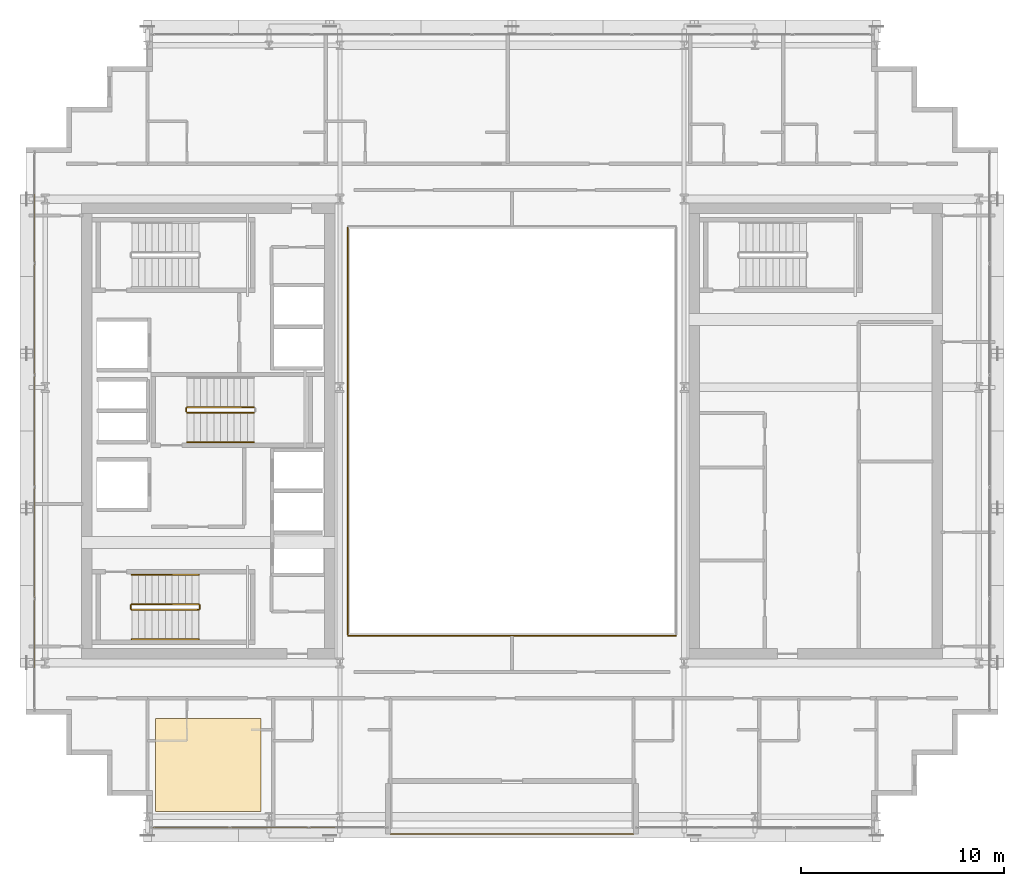
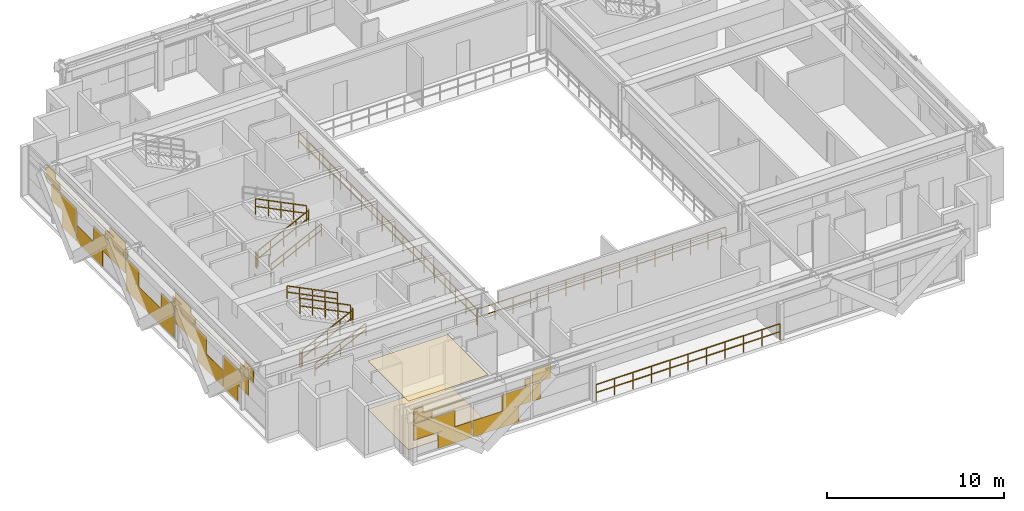
# One storey, part 29 of 32: 13 railings, 4 coverings.
"""IFC4 building model written with IfcOpenShell, lengths in metres."""

import ifcopenshell
import ifcopenshell.guid

model = None  # the IFC model being written
_history = None  # IfcOwnerHistory: only IFC2X3 demands one
_inside = {}  # id of a spatial element -> (the spatial element, [elements in it])
_under = {}  # id of a project, library or spatial element -> (it, [spatial elements below it])
_declared = {}  # id of a project -> (the project, [libraries it declares])
_typed = {}  # id of a type object -> (the type object, [elements of that type])
_made_of = {}  # id of a material, layer set ... -> (it, [elements and type objects made of it])


def new_model(schema):
    """Start an empty IFC model of exactly this schema.

    Asked for "IFC4X3", IfcOpenShell would pick the latest addendum, in which some entities
    have other attributes; the version numbers below select the first issue.
    IFC2X3 requires an IfcOwnerHistory on every rooted entity: one is made here for all.
    """
    global model, _history
    if schema == "IFC4X3":
        model = ifcopenshell.file(schema_version=(4, 3, 0, 0))
    else:
        model = ifcopenshell.file(schema=schema)
    _inside.clear()
    _under.clear()
    _declared.clear()
    _typed.clear()
    _made_of.clear()
    _history = None
    if model.schema == "IFC2X3":
        org = make("IfcOrganization", Name="unknown")
        user = make(
            "IfcPersonAndOrganization",
            ThePerson=make("IfcPerson", FamilyName="unknown"),
            TheOrganization=org,
        )
        app = make(
            "IfcApplication",
            ApplicationDeveloper=org,
            Version="unknown",
            ApplicationFullName="unknown",
            ApplicationIdentifier="unknown",
        )
        _history = make(
            "IfcOwnerHistory",
            OwningUser=user,
            OwningApplication=app,
            ChangeAction="ADDED",
            CreationDate=0,
        )
    return model


def make(cls, **values):
    """One entity of the class cls with the attributes given. An attribute that is None is left unset."""
    return model.create_entity(
        cls, **{name: value for name, value in values.items() if value is not None}
    )


def rooted(cls, **values):
    """An entity with a GlobalId (a new one), such as an element, a storey or a relation."""
    return make(cls, GlobalId=ifcopenshell.guid.new(), OwnerHistory=_history, **values)


def si_unit(unit_type, name, prefix=None):
    """IfcSIUnit, for example si_unit("LENGTHUNIT", "METRE", prefix="MILLI")."""
    return make("IfcSIUnit", UnitType=unit_type, Prefix=prefix, Name=name)


def assignment(units):
    """IfcUnitAssignment: the units of a project."""
    return None if units is None else make("IfcUnitAssignment", Units=units)


def point(xyz):
    """IfcCartesianPoint."""
    return None if xyz is None else make("IfcCartesianPoint", Coordinates=xyz)


def direction(xyz):
    """IfcDirection."""
    return None if xyz is None else make("IfcDirection", DirectionRatios=xyz)


def frame(location, z_axis=None, x_axis=None):
    """IfcAxis2Placement3D, a coordinate frame: its origin and axes. An axis left out is left unset."""
    return make(
        "IfcAxis2Placement3D",
        Location=point(location),
        Axis=direction(z_axis),
        RefDirection=direction(x_axis),
    )


def frame_2d(location, x_axis=None):
    """IfcAxis2Placement2D, a coordinate frame in the plane: its origin and x axis."""
    return make(
        "IfcAxis2Placement2D", Location=point(location), RefDirection=direction(x_axis)
    )


def origin():
    """The frame at (0, 0, 0) with its axes left unset."""
    return frame((0.0, 0.0, 0.0))


def origin_2d():
    """The frame at (0, 0) in the plane with its x axis left unset."""
    return frame_2d((0.0, 0.0))


def place(relative_to, where):
    """IfcLocalPlacement: puts the frame where relative to a parent placement (None: the world)."""
    return make(
        "IfcLocalPlacement", PlacementRelTo=relative_to, RelativePlacement=where
    )


def context(
    kind, dimensions, precision=None, world=None, true_north=None, identifier=None
):
    """IfcGeometricRepresentationContext, for example the 3D "Model" context."""
    return make(
        "IfcGeometricRepresentationContext",
        ContextIdentifier=identifier,
        ContextType=kind,
        CoordinateSpaceDimension=dimensions,
        Precision=precision,
        WorldCoordinateSystem=world,
        TrueNorth=true_north,
    )


def subcontext(parent, identifier, kind, view, scale=None):
    """IfcGeometricRepresentationSubContext, for example "Body" below "Model"."""
    return make(
        "IfcGeometricRepresentationSubContext",
        ContextIdentifier=identifier,
        ContextType=kind,
        ParentContext=parent,
        TargetScale=scale,
        TargetView=view,
    )


def project(units=None, contexts=None):
    """IfcProject with its units and contexts."""
    return rooted(
        "IfcProject",
        Name="project",
        RepresentationContexts=contexts,
        UnitsInContext=assignment(units),
    )


def spatial(cls, under=None, at=None, **own):
    """A site, building, storey or space (cls), placed at a placement, below another one or the project."""
    s = rooted(cls, ObjectPlacement=at, **own)
    if under is not None:
        _under.setdefault(under.id(), (under, []))[1].append(s)
    return s


def polyline(points):
    """IfcPolyline through the points."""
    return make("IfcPolyline", Points=[point(p) for p in points])


def profile(cls, at=None, kind="AREA", **sizes):
    """A parametric profile (cls). Its sizes go by their IFC names, for example OverallWidth=200.0."""
    return make(cls, ProfileType=kind, Position=at, **sizes)


def rectangle(**sizes):
    """IfcRectangleProfileDef."""
    return profile("IfcRectangleProfileDef", **sizes)


def outline(outer, holes=None, kind="AREA"):
    """IfcArbitraryClosedProfileDef: a profile drawn as a closed curve; with holes, ...WithVoids."""
    if holes is None:
        return make("IfcArbitraryClosedProfileDef", ProfileType=kind, OuterCurve=outer)
    return make(
        "IfcArbitraryProfileDefWithVoids",
        ProfileType=kind,
        OuterCurve=outer,
        InnerCurves=holes,
    )


def extrude(swept, where, along, depth):
    """IfcExtrudedAreaSolid: the profile swept, set in the frame where, extruded along a direction by depth."""
    return make(
        "IfcExtrudedAreaSolid",
        SweptArea=swept,
        Position=where,
        ExtrudedDirection=direction(along),
        Depth=depth,
    )


def shape(context_of_items, identifier, shape_type, items):
    """IfcShapeRepresentation: the items that make up one representation, for example the "Body"."""
    return make(
        "IfcShapeRepresentation",
        ContextOfItems=context_of_items,
        RepresentationIdentifier=identifier,
        RepresentationType=shape_type,
        Items=items,
    )


def material(Name=None, Category=None):
    """IfcMaterial."""
    return make("IfcMaterial", Name=Name, Category=Category)


def layer(
    of_material, thickness, ventilated=None, Name=None, Category=None, Priority=None
):
    """IfcMaterialLayer: one layer of a wall or slab, of a material (None: an air gap)."""
    return make(
        "IfcMaterialLayer",
        Material=of_material,
        LayerThickness=thickness,
        IsVentilated=ventilated,
        Name=Name,
        Category=Category,
        Priority=Priority,
    )


def layer_set(layers, Name=None):
    """IfcMaterialLayerSet."""
    return make("IfcMaterialLayerSet", MaterialLayers=layers, LayerSetName=Name)


def made_of(thing, what):
    """Note that an element or type object is made of a material, layer set ...; save() writes the relation."""
    if what is not None:
        _made_of.setdefault(what.id(), (what, []))[1].append(thing)
    return thing


def type_object(cls, material=None, **own):
    """A type object (cls), such as IfcWallType, which elements share."""
    return made_of(rooted(cls, **own), material)


def element(
    cls,
    number,
    at=None,
    inside=None,
    cuts=None,
    type_object=None,
    material=None,
    context=None,
    identifier="Body",
    shape_type=None,
    held_by="IfcProductDefinitionShape",
    body=None,
    shapes=None,
    **own,
):
    """One element of the class cls, such as IfcWall. Its Tag is "e" and its number.

    at: its placement. inside: the storey or other place that contains it. cuts: it is an
    opening in that element (IfcRelVoidsElement). A single representation is given by context,
    identifier, shape_type and body (its items); several are given by shapes. held_by: the class
    of the entity that holds the representations. save() writes the other relations.
    """
    e = rooted(cls, Tag="e%d" % number, ObjectPlacement=at, **own)
    if body is not None:
        shapes = [shape(context, identifier, shape_type, body)]
    if shapes is not None:
        e.Representation = make(held_by, Representations=shapes)
    if inside is not None:
        _inside.setdefault(inside.id(), (inside, []))[1].append(e)
    if cuts is not None:
        rooted(
            "IfcRelVoidsElement", RelatingBuildingElement=cuts, RelatedOpeningElement=e
        )
    if type_object is not None:
        _typed.setdefault(type_object.id(), (type_object, []))[1].append(e)
    return made_of(e, material)


def aggregate(whole, parts):
    """IfcRelAggregates: a whole, such as a stair, and the parts it consists of."""
    return rooted("IfcRelAggregates", RelatingObject=whole, RelatedObjects=parts)


def save(model, path):
    """Write the relations noted so far, then the file.

    IfcRelAggregates (storeys below a building ...), IfcRelContainedInSpatialStructure (elements
    in a storey), IfcRelDefinesByType, IfcRelAssociatesMaterial and IfcRelDeclares: one each for
    every whole, place, type object, material and project.
    """
    for whole, parts in _under.values():
        aggregate(whole, parts)
    for where, things in _inside.values():
        rooted(
            "IfcRelContainedInSpatialStructure",
            RelatedElements=things,
            RelatingStructure=where,
        )
    for kind, things in _typed.values():
        rooted("IfcRelDefinesByType", RelatedObjects=things, RelatingType=kind)
    for what, things in _made_of.values():
        rooted("IfcRelAssociatesMaterial", RelatedObjects=things, RelatingMaterial=what)
    for by, libraries in _declared.values():
        rooted("IfcRelDeclares", RelatingContext=by, RelatedDefinitions=libraries)
    model.write(path)


model = new_model("IFC4")

# Units and contexts
model_context = context("Model", 3, precision=1e-05, world=origin(), true_north=direction((0.0, 1.0)))
body_context = subcontext(model_context, "Body", "Model", "MODEL_VIEW")
ifc_project = project(units=[si_unit("LENGTHUNIT", "METRE"), si_unit("AREAUNIT", "SQUARE_METRE"), si_unit("VOLUMEUNIT", "CUBIC_METRE"), si_unit("PLANEANGLEUNIT", "RADIAN"), si_unit("MASSUNIT", "GRAM", prefix="KILO")], contexts=[model_context])

# Site, building, storey
site_placement = place(None, origin())
site = spatial("IfcSite", under=ifc_project, at=site_placement, CompositionType="ELEMENT")
building_placement = place(site_placement, origin())
building = spatial("IfcBuilding", under=site, at=building_placement, Name="Ocotamira Hotel", CompositionType="ELEMENT")
storey_placement = place(building_placement, frame((0.0, 0.0, 177.60009765625)))
storey = spatial("IfcBuildingStorey", under=building, at=storey_placement, Name="L44", CompositionType="ELEMENT", Elevation=177.60009765625)

# Coverings
ifc_material_1 = material(Name="Perforated acoustic gypsum ceiling board", Category="gypsum")
ifc_layer_1 = layer(ifc_material_1, 0.02490234375)
ifc_layer_set_1 = layer_set([ifc_layer_1], Name="Perforated acoustic gypsum ceiling board")
covering_type_1 = type_object("IfcCoveringType", Name="COV-CEIL-25", PredefinedType="CEILING", material=ifc_layer_set_1)
covering_1_placement = place(storey_placement, frame((0.0, 0.0, 3.344970703125)))
element("IfcCovering", 1, at=covering_1_placement, inside=storey, type_object=covering_type_1, Name="L44 Acoustic Ceiling", PredefinedType="CEILING", context=body_context, shape_type="SweptSolid", body=[
    extrude(outline(polyline([(14.39990234375, 7.199951171875), (19.60009765625, 7.199951171875), (19.60009765625, 11.800048828125), (14.39990234375, 11.800048828125), (14.39990234375, 7.199951171875)])), origin(), (0.0, 0.0, 1.0), 0.02490234375),
])
ifc_material_2 = material(Name="Honed desert travertine stone flooring", Category="masonry")
ifc_layer_2 = layer(ifc_material_2, 0.030029296875)
ifc_layer_set_2 = layer_set([ifc_layer_2], Name="Honed desert travertine stone flooring")
covering_type_2 = type_object("IfcCoveringType", Name="COV-FLOR-30", PredefinedType="FLOORING", material=ifc_layer_set_2)
covering_2_placement = place(storey_placement, origin())
element("IfcCovering", 2, at=covering_2_placement, inside=storey, type_object=covering_type_2, Name="L44 Honed Stone Floor Finish", PredefinedType="FLOORING", context=body_context, shape_type="SweptSolid", body=[
    extrude(outline(polyline([(14.39990234375, 7.199951171875), (19.60009765625, 7.199951171875), (19.60009765625, 11.800048828125), (14.39990234375, 11.800048828125), (14.39990234375, 7.199951171875)])), origin(), (0.0, 0.0, 1.0), 0.02978515625),
])
ifc_material_3 = material(Name="Insulated pale-metal aluminium spandrel panel", Category="aluminium")
ifc_layer_3 = layer(ifc_material_3, 0.044921875)
ifc_layer_set_3 = layer_set([ifc_layer_3], Name="Insulated pale-metal aluminium spandrel panel")
covering_type_3 = type_object("IfcCoveringType", Name="COV-INFILL-45", PredefinedType="CLADDING", material=ifc_layer_set_3)
covering_3_placement = place(storey_placement, origin())
element("IfcCovering", 3, at=covering_3_placement, inside=storey, type_object=covering_type_3, Name="L44 Curtain Wall Infill CW-4 CW-L44-S1", PredefinedType="CLADDING", context=body_context, shape_type="SweptSolid", body=[
    extrude(rectangle(XDim=2.68701171875, YDim=0.044921875, at=origin_2d()), frame((15.6240234375, 6.419921875, 1.19384765625), z_axis=(0.0, 0.0, 1.0), x_axis=(1.0, 0.0, 0.0)), (0.0, 0.0, 1.0), 1.117919921875),
    extrude(rectangle(XDim=2.19482421875, YDim=0.044921875, at=origin_2d()), frame((16.9453125, 6.419921875, 0.075439453125), z_axis=(0.0, 0.0, 1.0), x_axis=(1.0, 0.0, 0.0)), (0.0, 0.0, 1.0), 1.11767578125),
    extrude(rectangle(XDim=1.19482421875, YDim=0.044921875, at=origin_2d()), frame((14.8779296875, 6.419921875, 2.3876953125), z_axis=(0.0, 0.0, 1.0), x_axis=(1.0, 0.0, 0.0)), (0.0, 0.0, 1.0), 0.442626953125),
    extrude(rectangle(XDim=3.76220703125, YDim=0.044921875, at=origin_2d()), frame((16.16162109375, 6.419921875, 2.83154296875), z_axis=(0.0, 0.0, 1.0), x_axis=(1.0, 0.0, 0.0)), (0.0, 0.0, 1.0), 0.0302734375),
    extrude(rectangle(XDim=0.601318359375, YDim=0.044921875, at=origin_2d()), frame((14.581298828125, 6.419921875, 2.86279296875), z_axis=(0.0, 0.0, 1.0), x_axis=(1.0, 0.0, 0.0)), (0.0, 0.0, 1.0), 0.431640625),
    extrude(rectangle(XDim=3.028076171875, YDim=0.044921875, at=origin_2d()), frame((19.637939453125, 6.419921875, 0.075439453125), z_axis=(0.0, 0.0, 1.0), x_axis=(1.0, 0.0, 0.0)), (0.0, 0.0, 1.0), 1.11767578125),
    extrude(rectangle(XDim=1.893798828125, YDim=0.044921875, at=origin_2d()), frame((20.979248046875, 6.419921875, 1.19384765625), z_axis=(0.0, 0.0, 1.0), x_axis=(1.0, 0.0, 0.0)), (0.0, 0.0, 1.0), 1.117919921875),
    extrude(rectangle(XDim=0.401611328125, YDim=0.044921875, at=origin_2d()), frame((21.725341796875, 6.419921875, 2.3876953125), z_axis=(0.0, 0.0, 1.0), x_axis=(1.0, 0.0, 0.0)), (0.0, 0.0, 1.0), 0.473876953125),
    extrude(rectangle(XDim=0.543212890625, YDim=0.044921875, at=origin_2d()), frame((22.27880859375, 6.419921875, 1.19384765625), z_axis=(0.0, 0.0, 1.0), x_axis=(1.0, 0.0, 0.0)), (0.0, 0.0, 1.0), 1.117919921875),
    extrude(rectangle(XDim=1.19140625, YDim=0.044921875, at=origin_2d()), frame((22.602783203125, 6.419921875, 2.3876953125), z_axis=(0.0, 0.0, 1.0), x_axis=(1.0, 0.0, 0.0)), (0.0, 0.0, 1.0), 0.442626953125),
    extrude(rectangle(XDim=1.23046875, YDim=0.044921875, at=origin_2d()), frame((22.622314453125, 6.419921875, 2.83154296875), z_axis=(0.0, 0.0, 1.0), x_axis=(1.0, 0.0, 0.0)), (0.0, 0.0, 1.0), 0.462890625),
])
covering_4_placement = place(storey_placement, origin())
element("IfcCovering", 4, at=covering_4_placement, inside=storey, type_object=covering_type_3, Name="L44 Curtain Wall Infill CW-4 CW-L44-W", PredefinedType="CLADDING", context=body_context, shape_type="SweptSolid", body=[
    extrude(rectangle(XDim=2.782958984375, YDim=0.044921875, at=origin_2d()), frame((8.419921875, 16.2880859375, 1.19384765625), z_axis=(0.0, 0.0, 1.0), x_axis=(0.0, 1.0, 0.0)), (0.0, 0.0, 1.0), 1.117919921875),
    extrude(rectangle(XDim=1.596923828125, YDim=0.044921875, at=origin_2d()), frame((8.419921875, 16.881103515625, 0.075439453125), z_axis=(0.0, 0.0, 1.0), x_axis=(0.0, 1.0, 0.0)), (0.0, 0.0, 1.0), 1.11767578125),
    extrude(rectangle(XDim=3.38720703125, YDim=0.044921875, at=origin_2d()), frame((8.419921875, 15.98583984375, 2.8486328125), z_axis=(0.0, 0.0, 1.0), x_axis=(0.0, 1.0, 0.0)), (0.0, 0.0, 1.0), 0.033203125),
    extrude(rectangle(XDim=1.019287109375, YDim=0.044921875, at=origin_2d()), frame((8.419921875, 14.8017578125, 2.8828125), z_axis=(0.0, 0.0, 1.0), x_axis=(0.0, 1.0, 0.0)), (0.0, 0.0, 1.0), 0.41162109375),
    extrude(rectangle(XDim=1.507568359375, YDim=0.044921875, at=origin_2d()), frame((8.419921875, 15.082275390625, 2.38818359375), z_axis=(0.0, 0.0, 1.0), x_axis=(0.0, 1.0, 0.0)), (0.0, 0.0, 1.0), 0.459716796875),
    extrude(rectangle(XDim=2.89013671875, YDim=0.044921875, at=origin_2d()), frame((8.419921875, 19.20556640625, 0.075439453125), z_axis=(0.0, 0.0, 1.0), x_axis=(0.0, 1.0, 0.0)), (0.0, 0.0, 1.0), 1.11767578125),
    extrude(rectangle(XDim=3.568115234375, YDim=0.044921875, at=origin_2d()), frame((8.419921875, 21.41552734375, 1.19384765625), z_axis=(0.0, 0.0, 1.0), x_axis=(0.0, 1.0, 0.0)), (0.0, 0.0, 1.0), 1.117919921875),
    extrude(rectangle(XDim=5.43896484375, YDim=0.044921875, at=origin_2d()), frame((8.419921875, 20.47998046875, 2.8486328125), z_axis=(0.0, 0.0, 1.0), x_axis=(0.0, 1.0, 0.0)), (0.0, 0.0, 1.0), 0.033203125),
    extrude(rectangle(XDim=2.302490234375, YDim=0.044921875, at=origin_2d()), frame((8.419921875, 22.04833984375, 2.38818359375), z_axis=(0.0, 0.0, 1.0), x_axis=(0.0, 1.0, 0.0)), (0.0, 0.0, 1.0), 0.459716796875),
    extrude(rectangle(XDim=1.777587890625, YDim=0.044921875, at=origin_2d()), frame((8.419921875, 22.310791015625, 2.8828125), z_axis=(0.0, 0.0, 1.0), x_axis=(0.0, 1.0, 0.0)), (0.0, 0.0, 1.0), 0.41162109375),
    extrude(rectangle(XDim=5.43896484375, YDim=0.044921875, at=origin_2d()), frame((8.419921875, 26.0, 0.075439453125), z_axis=(0.0, 0.0, 1.0), x_axis=(0.0, 1.0, 0.0)), (0.0, 0.0, 1.0), 1.11767578125),
    extrude(rectangle(XDim=1.45458984375, YDim=0.044921875, at=origin_2d()), frame((8.419921875, 24.0078125, 1.19384765625), z_axis=(0.0, 0.0, 1.0), x_axis=(0.0, 1.0, 0.0)), (0.0, 0.0, 1.0), 1.117919921875),
    extrude(rectangle(XDim=1.45458984375, YDim=0.044921875, at=origin_2d()), frame((8.419921875, 27.9921875, 1.19384765625), z_axis=(0.0, 0.0, 1.0), x_axis=(0.0, 1.0, 0.0)), (0.0, 0.0, 1.0), 1.117919921875),
    extrude(rectangle(XDim=0.18896484375, YDim=0.044921875, at=origin_2d()), frame((8.419921875, 23.375, 2.38818359375), z_axis=(0.0, 0.0, 1.0), x_axis=(0.0, 1.0, 0.0)), (0.0, 0.0, 1.0), 0.493896484375),
    extrude(rectangle(XDim=0.18896484375, YDim=0.044921875, at=origin_2d()), frame((8.419921875, 28.625, 2.38818359375), z_axis=(0.0, 0.0, 1.0), x_axis=(0.0, 1.0, 0.0)), (0.0, 0.0, 1.0), 0.493896484375),
    extrude(rectangle(XDim=3.568115234375, YDim=0.044921875, at=origin_2d()), frame((8.419921875, 30.58447265625, 1.19384765625), z_axis=(0.0, 0.0, 1.0), x_axis=(0.0, 1.0, 0.0)), (0.0, 0.0, 1.0), 1.117919921875),
    extrude(rectangle(XDim=2.89013671875, YDim=0.044921875, at=origin_2d()), frame((8.419921875, 32.79443359375, 0.075439453125), z_axis=(0.0, 0.0, 1.0), x_axis=(0.0, 1.0, 0.0)), (0.0, 0.0, 1.0), 1.11767578125),
    extrude(rectangle(XDim=2.302490234375, YDim=0.044921875, at=origin_2d()), frame((8.419921875, 29.95166015625, 2.38818359375), z_axis=(0.0, 0.0, 1.0), x_axis=(0.0, 1.0, 0.0)), (0.0, 0.0, 1.0), 0.459716796875),
    extrude(rectangle(XDim=5.43896484375, YDim=0.044921875, at=origin_2d()), frame((8.419921875, 31.52001953125, 2.8486328125), z_axis=(0.0, 0.0, 1.0), x_axis=(0.0, 1.0, 0.0)), (0.0, 0.0, 1.0), 0.033203125),
    extrude(rectangle(XDim=1.777587890625, YDim=0.044921875, at=origin_2d()), frame((8.419921875, 29.689208984375, 2.8828125), z_axis=(0.0, 0.0, 1.0), x_axis=(0.0, 1.0, 0.0)), (0.0, 0.0, 1.0), 0.41162109375),
    extrude(rectangle(XDim=1.596923828125, YDim=0.044921875, at=origin_2d()), frame((8.419921875, 35.118896484375, 0.075439453125), z_axis=(0.0, 0.0, 1.0), x_axis=(0.0, 1.0, 0.0)), (0.0, 0.0, 1.0), 1.11767578125),
    extrude(rectangle(XDim=2.782958984375, YDim=0.044921875, at=origin_2d()), frame((8.419921875, 35.7119140625, 1.19384765625), z_axis=(0.0, 0.0, 1.0), x_axis=(0.0, 1.0, 0.0)), (0.0, 0.0, 1.0), 1.117919921875),
    extrude(rectangle(XDim=3.38720703125, YDim=0.044921875, at=origin_2d()), frame((8.419921875, 36.01416015625, 2.8486328125), z_axis=(0.0, 0.0, 1.0), x_axis=(0.0, 1.0, 0.0)), (0.0, 0.0, 1.0), 0.033203125),
    extrude(rectangle(XDim=1.507568359375, YDim=0.044921875, at=origin_2d()), frame((8.419921875, 36.917724609375, 2.38818359375), z_axis=(0.0, 0.0, 1.0), x_axis=(0.0, 1.0, 0.0)), (0.0, 0.0, 1.0), 0.459716796875),
    extrude(rectangle(XDim=1.019287109375, YDim=0.044921875, at=origin_2d()), frame((8.419921875, 37.1982421875, 2.8828125), z_axis=(0.0, 0.0, 1.0), x_axis=(0.0, 1.0, 0.0)), (0.0, 0.0, 1.0), 0.41162109375),
])

# Railings
ifc_material_4 = material(Name="Laminated glass and pale-metal balustrade", Category="glass")
railing_type_1 = type_object("IfcRailingType", Name="RL-BAL-1150", PredefinedType="BALUSTRADE", material=ifc_material_4)
railing_1_placement = place(storey_placement, frame((26.0, 6.10009765625, 0.0)))
element("IfcRailing", 5, at=railing_1_placement, inside=storey, type_object=railing_type_1, Name="L44 Sky Terrace Balustrade 1", PredefinedType="BALUSTRADE", context=body_context, shape_type="SweptSolid", body=[
    extrude(rectangle(XDim=0.048095703125, YDim=0.048095703125, at=origin_2d()), frame((0.0, 0.0, 1.1259765625), z_axis=(1.0, 0.0, 0.0), x_axis=(0.0, 1.0, 0.0)), (0.0, 0.0, 1.0), 12.0),
    extrude(rectangle(XDim=0.048095703125, YDim=0.048095703125, at=origin_2d()), frame((0.0, 0.0, 0.574951171875), z_axis=(1.0, 0.0, 0.0), x_axis=(0.0, 1.0, 0.0)), (0.0, 0.0, 1.0), 12.0),
    extrude(rectangle(XDim=0.0419921875, YDim=0.0419921875, at=origin_2d()), origin(), (0.0, 0.0, 1.0), 1.101806640625),
    extrude(rectangle(XDim=0.0419921875, YDim=0.0419921875, at=origin_2d()), frame((1.199951171875, 0.0, 0.0)), (0.0, 0.0, 1.0), 1.101806640625),
    extrude(rectangle(XDim=0.0419921875, YDim=0.0419921875, at=origin_2d()), frame((2.39990234375, 0.0, 0.0)), (0.0, 0.0, 1.0), 1.101806640625),
    extrude(rectangle(XDim=0.0419921875, YDim=0.0419921875, at=origin_2d()), frame((3.60009765625, 0.0, 0.0)), (0.0, 0.0, 1.0), 1.101806640625),
    extrude(rectangle(XDim=0.0419921875, YDim=0.0419921875, at=origin_2d()), frame((4.800048828125, 0.0, 0.0)), (0.0, 0.0, 1.0), 1.101806640625),
    extrude(rectangle(XDim=0.0419921875, YDim=0.0419921875, at=origin_2d()), frame((6.0, 0.0, 0.0)), (0.0, 0.0, 1.0), 1.101806640625),
    extrude(rectangle(XDim=0.0419921875, YDim=0.0419921875, at=origin_2d()), frame((7.199951171875, 0.0, 0.0)), (0.0, 0.0, 1.0), 1.101806640625),
    extrude(rectangle(XDim=0.0419921875, YDim=0.0419921875, at=origin_2d()), frame((8.39990234375, 0.0, 0.0)), (0.0, 0.0, 1.0), 1.101806640625),
    extrude(rectangle(XDim=0.0419921875, YDim=0.0419921875, at=origin_2d()), frame((9.60009765625, 0.0, 0.0)), (0.0, 0.0, 1.0), 1.101806640625),
    extrude(rectangle(XDim=0.0419921875, YDim=0.0419921875, at=origin_2d()), frame((10.800048828125, 0.0, 0.0)), (0.0, 0.0, 1.0), 1.101806640625),
    extrude(rectangle(XDim=0.0419921875, YDim=0.0419921875, at=origin_2d()), frame((12.0, 0.0, 0.0)), (0.0, 0.0, 1.0), 1.101806640625),
])
ifc_material_5 = material(Name="Painted steel stair guardrail", Category="steel")
railing_type_2 = type_object("IfcRailingType", Name="RL-EDGE-1150", PredefinedType="GUARDRAIL", material=ifc_material_5)
railing_2_placement = place(storey_placement, frame((23.89990234375, 15.8798828125, 0.0)))
element("IfcRailing", 6, at=railing_2_placement, inside=storey, type_object=railing_type_2, Name="L44 Central Atrium Edge Guardrail S", PredefinedType="GUARDRAIL", context=body_context, shape_type="SweptSolid", body=[
    extrude(rectangle(XDim=0.048095703125, YDim=0.048095703125, at=origin_2d()), frame((0.0, 0.0, 1.1259765625), z_axis=(1.0, 0.0, 0.0), x_axis=(0.0, 1.0, 0.0)), (0.0, 0.0, 1.0), 16.2001953125),
    extrude(rectangle(XDim=0.048095703125, YDim=0.048095703125, at=origin_2d()), frame((0.0, 0.0, 0.574951171875), z_axis=(1.0, 0.0, 0.0), x_axis=(0.0, 1.0, 0.0)), (0.0, 0.0, 1.0), 16.2001953125),
    extrude(rectangle(XDim=0.0419921875, YDim=0.0419921875, at=origin_2d()), origin(), (0.0, 0.0, 1.0), 1.101806640625),
    extrude(rectangle(XDim=0.0419921875, YDim=0.0419921875, at=origin_2d()), frame((1.1572265625, 0.0, 0.0)), (0.0, 0.0, 1.0), 1.101806640625),
    extrude(rectangle(XDim=0.0419921875, YDim=0.0419921875, at=origin_2d()), frame((2.314208984375, 0.0, 0.0)), (0.0, 0.0, 1.0), 1.101806640625),
    extrude(rectangle(XDim=0.0419921875, YDim=0.0419921875, at=origin_2d()), frame((3.471435546875, 0.0, 0.0)), (0.0, 0.0, 1.0), 1.101806640625),
    extrude(rectangle(XDim=0.0419921875, YDim=0.0419921875, at=origin_2d()), frame((4.628662109375, 0.0, 0.0)), (0.0, 0.0, 1.0), 1.101806640625),
    extrude(rectangle(XDim=0.0419921875, YDim=0.0419921875, at=origin_2d()), frame((5.785888671875, 0.0, 0.0)), (0.0, 0.0, 1.0), 1.101806640625),
    extrude(rectangle(XDim=0.0419921875, YDim=0.0419921875, at=origin_2d()), frame((6.94287109375, 0.0, 0.0)), (0.0, 0.0, 1.0), 1.101806640625),
    extrude(rectangle(XDim=0.0419921875, YDim=0.0419921875, at=origin_2d()), frame((8.10009765625, 0.0, 0.0)), (0.0, 0.0, 1.0), 1.101806640625),
    extrude(rectangle(XDim=0.0419921875, YDim=0.0419921875, at=origin_2d()), frame((9.25732421875, 0.0, 0.0)), (0.0, 0.0, 1.0), 1.101806640625),
    extrude(rectangle(XDim=0.0419921875, YDim=0.0419921875, at=origin_2d()), frame((10.414306640625, 0.0, 0.0)), (0.0, 0.0, 1.0), 1.101806640625),
    extrude(rectangle(XDim=0.0419921875, YDim=0.0419921875, at=origin_2d()), frame((11.571533203125, 0.0, 0.0)), (0.0, 0.0, 1.0), 1.101806640625),
    extrude(rectangle(XDim=0.0419921875, YDim=0.0419921875, at=origin_2d()), frame((12.728759765625, 0.0, 0.0)), (0.0, 0.0, 1.0), 1.101806640625),
    extrude(rectangle(XDim=0.0419921875, YDim=0.0419921875, at=origin_2d()), frame((13.885986328125, 0.0, 0.0)), (0.0, 0.0, 1.0), 1.101806640625),
    extrude(rectangle(XDim=0.0419921875, YDim=0.0419921875, at=origin_2d()), frame((15.04296875, 0.0, 0.0)), (0.0, 0.0, 1.0), 1.101806640625),
    extrude(rectangle(XDim=0.0419921875, YDim=0.0419921875, at=origin_2d()), frame((16.2001953125, 0.0, 0.0)), (0.0, 0.0, 1.0), 1.101806640625),
])
railing_3_placement = place(storey_placement, frame((23.8798828125, 36.0400390625, 0.0)))
element("IfcRailing", 7, at=railing_3_placement, inside=storey, type_object=railing_type_2, Name="L44 Central Atrium Edge Guardrail W", PredefinedType="GUARDRAIL", context=body_context, shape_type="SweptSolid", body=[
    extrude(rectangle(XDim=0.048095703125, YDim=0.048095703125, at=origin_2d()), frame((0.0, 0.0, 1.1259765625), z_axis=(0.0, -1.0, 0.0), x_axis=(1.0, 0.0, 0.0)), (0.0, 0.0, 1.0), 20.080078125),
    extrude(rectangle(XDim=0.048095703125, YDim=0.048095703125, at=origin_2d()), frame((0.0, 0.0, 0.574951171875), z_axis=(0.0, -1.0, 0.0), x_axis=(1.0, 0.0, 0.0)), (0.0, 0.0, 1.0), 20.080078125),
    extrude(rectangle(XDim=0.0419921875, YDim=0.0419921875, at=origin_2d()), origin(), (0.0, 0.0, 1.0), 1.101806640625),
    extrude(rectangle(XDim=0.0419921875, YDim=0.0419921875, at=origin_2d()), frame((0.0, -1.18115234375, 0.0)), (0.0, 0.0, 1.0), 1.101806640625),
    extrude(rectangle(XDim=0.0419921875, YDim=0.0419921875, at=origin_2d()), frame((0.0, -2.3623046875, 0.0)), (0.0, 0.0, 1.0), 1.101806640625),
    extrude(rectangle(XDim=0.0419921875, YDim=0.0419921875, at=origin_2d()), frame((0.0, -3.54345703125, 0.0)), (0.0, 0.0, 1.0), 1.101806640625),
    extrude(rectangle(XDim=0.0419921875, YDim=0.0419921875, at=origin_2d()), frame((0.0, -4.724609375, 0.0)), (0.0, 0.0, 1.0), 1.101806640625),
    extrude(rectangle(XDim=0.0419921875, YDim=0.0419921875, at=origin_2d()), frame((0.0, -5.906005859375, 0.0)), (0.0, 0.0, 1.0), 1.101806640625),
    extrude(rectangle(XDim=0.0419921875, YDim=0.0419921875, at=origin_2d()), frame((0.0, -7.087158203125, 0.0)), (0.0, 0.0, 1.0), 1.101806640625),
    extrude(rectangle(XDim=0.0419921875, YDim=0.0419921875, at=origin_2d()), frame((0.0, -8.268310546875, 0.0)), (0.0, 0.0, 1.0), 1.101806640625),
    extrude(rectangle(XDim=0.0419921875, YDim=0.0419921875, at=origin_2d()), frame((0.0, -9.449462890625, 0.0)), (0.0, 0.0, 1.0), 1.101806640625),
    extrude(rectangle(XDim=0.0419921875, YDim=0.0419921875, at=origin_2d()), frame((0.0, -10.630615234375, 0.0)), (0.0, 0.0, 1.0), 1.101806640625),
    extrude(rectangle(XDim=0.0419921875, YDim=0.0419921875, at=origin_2d()), frame((0.0, -11.811767578125, 0.0)), (0.0, 0.0, 1.0), 1.101806640625),
    extrude(rectangle(XDim=0.0419921875, YDim=0.0419921875, at=origin_2d()), frame((0.0, -12.992919921875, 0.0)), (0.0, 0.0, 1.0), 1.101806640625),
    extrude(rectangle(XDim=0.0419921875, YDim=0.0419921875, at=origin_2d()), frame((0.0, -14.174072265625, 0.0)), (0.0, 0.0, 1.0), 1.101806640625),
    extrude(rectangle(XDim=0.0419921875, YDim=0.0419921875, at=origin_2d()), frame((0.0, -15.35546875, 0.0)), (0.0, 0.0, 1.0), 1.101806640625),
    extrude(rectangle(XDim=0.0419921875, YDim=0.0419921875, at=origin_2d()), frame((0.0, -16.53662109375, 0.0)), (0.0, 0.0, 1.0), 1.101806640625),
    extrude(rectangle(XDim=0.0419921875, YDim=0.0419921875, at=origin_2d()), frame((0.0, -17.7177734375, 0.0)), (0.0, 0.0, 1.0), 1.101806640625),
    extrude(rectangle(XDim=0.0419921875, YDim=0.0419921875, at=origin_2d()), frame((0.0, -18.89892578125, 0.0)), (0.0, 0.0, 1.0), 1.101806640625),
    extrude(rectangle(XDim=0.0419921875, YDim=0.0419921875, at=origin_2d()), frame((0.0, -20.080078125, 0.0)), (0.0, 0.0, 1.0), 1.101806640625),
])
ifc_material_6 = material(Name="Brushed stainless steel handrail", Category="steel")
railing_type_3 = type_object("IfcRailingType", Name="RL-HAND-900", PredefinedType="HANDRAIL", material=ifc_material_6)
railing_4_placement = place(storey_placement, frame((13.22998046875, 15.719970703125, 0.3271484375)))
element("IfcRailing", 8, at=railing_4_placement, inside=storey, type_object=railing_type_3, Name="L44 ST-1 stair handrail 1", PredefinedType="HANDRAIL", context=body_context, shape_type="SweptSolid", body=[
    extrude(rectangle(XDim=0.048095703125, YDim=0.048095703125, at=origin_2d()), frame((0.0, 0.0, 0.8759765625), z_axis=(0.895893744519, 0.0, 0.4442683857), x_axis=(0.0, 1.0, 0.0)), (0.0, 0.0, 1.0), 3.68359375),
    extrude(rectangle(XDim=0.048095703125, YDim=0.048095703125, at=origin_2d()), frame((0.0, 0.0, 0.449951171875), z_axis=(0.895893744519, 0.0, 0.4442683857), x_axis=(0.0, 1.0, 0.0)), (0.0, 0.0, 1.0), 3.68359375),
    extrude(rectangle(XDim=0.0419921875, YDim=0.0419921875, at=origin_2d()), origin(), (0.0, 0.0, 1.0), 0.851806640625),
    extrude(rectangle(XDim=0.0419921875, YDim=0.0419921875, at=origin_2d()), frame((0.824951171875, 0.0, 0.4091796875)), (0.0, 0.0, 1.0), 0.851806640625),
    extrude(rectangle(XDim=0.0419921875, YDim=0.0419921875, at=origin_2d()), frame((1.64990234375, 0.0, 0.818359375)), (0.0, 0.0, 1.0), 0.851806640625),
    extrude(rectangle(XDim=0.0419921875, YDim=0.0419921875, at=origin_2d()), frame((2.47509765625, 0.0, 1.227294921875)), (0.0, 0.0, 1.0), 0.851806640625),
    extrude(rectangle(XDim=0.0419921875, YDim=0.0419921875, at=origin_2d()), frame((3.300048828125, 0.0, 1.636474609375)), (0.0, 0.0, 1.0), 0.851806640625),
])
railing_5_placement = place(storey_placement, frame((16.530029296875, 18.89990234375, 2.127197265625)))
element("IfcRailing", 9, at=railing_5_placement, inside=storey, type_object=railing_type_3, Name="L44 ST-1 stair handrail 2", PredefinedType="HANDRAIL", context=body_context, shape_type="SweptSolid", body=[
    extrude(rectangle(XDim=0.048095703125, YDim=0.048095703125, at=origin_2d()), frame((0.0, 0.0, 0.8759765625), z_axis=(-0.895920123917, 0.0, 0.444215186098), x_axis=(0.0, -1.0, 0.0)), (0.0, 0.0, 1.0), 3.683349609375),
    extrude(rectangle(XDim=0.048095703125, YDim=0.048095703125, at=origin_2d()), frame((0.0, 0.0, 0.449951171875), z_axis=(-0.895920123917, 0.0, 0.444215186098), x_axis=(0.0, -1.0, 0.0)), (0.0, 0.0, 1.0), 3.683349609375),
    extrude(rectangle(XDim=0.0419921875, YDim=0.0419921875, at=origin_2d()), origin(), (0.0, 0.0, 1.0), 0.851806640625),
    extrude(rectangle(XDim=0.0419921875, YDim=0.0419921875, at=origin_2d()), frame((-0.824951171875, 0.0, 0.4091796875)), (0.0, 0.0, 1.0), 0.851806640625),
    extrude(rectangle(XDim=0.0419921875, YDim=0.0419921875, at=origin_2d()), frame((-1.64990234375, 0.0, 0.818115234375)), (0.0, 0.0, 1.0), 0.851806640625),
    extrude(rectangle(XDim=0.0419921875, YDim=0.0419921875, at=origin_2d()), frame((-2.47509765625, 0.0, 1.22705078125)), (0.0, 0.0, 1.0), 0.851806640625),
    extrude(rectangle(XDim=0.0419921875, YDim=0.0419921875, at=origin_2d()), frame((-3.300048828125, 0.0, 1.63623046875)), (0.0, 0.0, 1.0), 0.851806640625),
])
railing_6_placement = place(storey_placement, frame((15.9599609375, 25.449951171875, 0.3271484375)))
element("IfcRailing", 10, at=railing_6_placement, inside=storey, type_object=railing_type_3, Name="L44 ST-3 stair handrail 1", PredefinedType="HANDRAIL", context=body_context, shape_type="SweptSolid", body=[
    extrude(rectangle(XDim=0.048095703125, YDim=0.048095703125, at=origin_2d()), frame((0.0, 0.0, 0.8759765625), z_axis=(0.895893744519, 0.0, 0.4442683857), x_axis=(0.0, 1.0, 0.0)), (0.0, 0.0, 1.0), 3.68359375),
    extrude(rectangle(XDim=0.048095703125, YDim=0.048095703125, at=origin_2d()), frame((0.0, 0.0, 0.449951171875), z_axis=(0.895893744519, 0.0, 0.4442683857), x_axis=(0.0, 1.0, 0.0)), (0.0, 0.0, 1.0), 3.68359375),
    extrude(rectangle(XDim=0.0419921875, YDim=0.0419921875, at=origin_2d()), origin(), (0.0, 0.0, 1.0), 0.851806640625),
    extrude(rectangle(XDim=0.0419921875, YDim=0.0419921875, at=origin_2d()), frame((0.824951171875, 0.0, 0.4091796875)), (0.0, 0.0, 1.0), 0.851806640625),
    extrude(rectangle(XDim=0.0419921875, YDim=0.0419921875, at=origin_2d()), frame((1.64990234375, 0.0, 0.818359375)), (0.0, 0.0, 1.0), 0.851806640625),
    extrude(rectangle(XDim=0.0419921875, YDim=0.0419921875, at=origin_2d()), frame((2.47509765625, 0.0, 1.227294921875)), (0.0, 0.0, 1.0), 0.851806640625),
    extrude(rectangle(XDim=0.0419921875, YDim=0.0419921875, at=origin_2d()), frame((3.300048828125, 0.0, 1.636474609375)), (0.0, 0.0, 1.0), 0.851806640625),
])
railing_type_4 = type_object("IfcRailingType", Name="RL-STAIR-1100", PredefinedType="GUARDRAIL", material=ifc_material_5)
railing_7_placement = place(storey_placement, frame((13.22998046875, 17.179931640625, 0.16357421875)))
element("IfcRailing", 11, at=railing_7_placement, inside=storey, type_object=railing_type_4, Name="L44 ST-1 stair guard 1", PredefinedType="GUARDRAIL", context=body_context, shape_type="SweptSolid", body=[
    extrude(rectangle(XDim=0.048095703125, YDim=0.048095703125, at=origin_2d()), frame((0.0, 0.0, 1.076171875), z_axis=(0.895920123917, 0.0, 0.444215186098), x_axis=(0.0, 1.0, 0.0)), (0.0, 0.0, 1.0), 3.683349609375),
    extrude(rectangle(XDim=0.048095703125, YDim=0.048095703125, at=origin_2d()), frame((0.0, 0.0, 0.550048828125), z_axis=(0.895920123917, 0.0, 0.444215186098), x_axis=(0.0, 1.0, 0.0)), (0.0, 0.0, 1.0), 3.683349609375),
    extrude(rectangle(XDim=0.0419921875, YDim=0.0419921875, at=origin_2d()), origin(), (0.0, 0.0, 1.0), 1.052001953125),
    extrude(rectangle(XDim=0.0419921875, YDim=0.0419921875, at=origin_2d()), frame((0.824951171875, 0.0, 0.4091796875)), (0.0, 0.0, 1.0), 1.052001953125),
    extrude(rectangle(XDim=0.0419921875, YDim=0.0419921875, at=origin_2d()), frame((1.64990234375, 0.0, 0.818115234375)), (0.0, 0.0, 1.0), 1.052001953125),
    extrude(rectangle(XDim=0.0419921875, YDim=0.0419921875, at=origin_2d()), frame((2.47509765625, 0.0, 1.22705078125)), (0.0, 0.0, 1.0), 1.052001953125),
    extrude(rectangle(XDim=0.0419921875, YDim=0.0419921875, at=origin_2d()), frame((3.300048828125, 0.0, 1.63623046875)), (0.0, 0.0, 1.0), 1.052001953125),
])
railing_8_placement = place(storey_placement, frame((16.580078125, 17.22998046875, 1.7998046875)))
element("IfcRailing", 12, at=railing_8_placement, inside=storey, type_object=railing_type_4, Name="L44 ST-1 stair guard 2", PredefinedType="GUARDRAIL", context=body_context, shape_type="SweptSolid", body=[
    extrude(rectangle(XDim=0.048095703125, YDim=0.048095703125, at=origin_2d()), frame((0.0, 0.0, 1.076171875), z_axis=(0.0, 1.0, 0.0), x_axis=(-1.0, 0.0, 0.0)), (0.0, 0.0, 1.0), 0.159912109375),
    extrude(rectangle(XDim=0.048095703125, YDim=0.048095703125, at=origin_2d()), frame((0.0, 0.0, 0.550048828125), z_axis=(0.0, 1.0, 0.0), x_axis=(-1.0, 0.0, 0.0)), (0.0, 0.0, 1.0), 0.159912109375),
    extrude(rectangle(XDim=0.0419921875, YDim=0.0419921875, at=origin_2d()), origin(), (0.0, 0.0, 1.0), 1.052001953125),
    extrude(rectangle(XDim=0.0419921875, YDim=0.0419921875, at=origin_2d()), frame((0.0, 0.159912109375, 0.0)), (0.0, 0.0, 1.0), 1.052001953125),
])
railing_9_placement = place(storey_placement, frame((16.530029296875, 17.43994140625, 1.963623046875)))
element("IfcRailing", 13, at=railing_9_placement, inside=storey, type_object=railing_type_4, Name="L44 ST-1 stair guard 3", PredefinedType="GUARDRAIL", context=body_context, shape_type="SweptSolid", body=[
    extrude(rectangle(XDim=0.048095703125, YDim=0.048095703125, at=origin_2d()), frame((0.0, 0.0, 1.076171875), z_axis=(-0.895920123917, 0.0, 0.444215186098), x_axis=(0.0, -1.0, 0.0)), (0.0, 0.0, 1.0), 3.683349609375),
    extrude(rectangle(XDim=0.048095703125, YDim=0.048095703125, at=origin_2d()), frame((0.0, 0.0, 0.550048828125), z_axis=(-0.895920123917, 0.0, 0.444215186098), x_axis=(0.0, -1.0, 0.0)), (0.0, 0.0, 1.0), 3.683349609375),
    extrude(rectangle(XDim=0.0419921875, YDim=0.0419921875, at=origin_2d()), origin(), (0.0, 0.0, 1.0), 1.052001953125),
    extrude(rectangle(XDim=0.0419921875, YDim=0.0419921875, at=origin_2d()), frame((-0.824951171875, 0.0, 0.4091796875)), (0.0, 0.0, 1.0), 1.052001953125),
    extrude(rectangle(XDim=0.0419921875, YDim=0.0419921875, at=origin_2d()), frame((-1.64990234375, 0.0, 0.818115234375)), (0.0, 0.0, 1.0), 1.052001953125),
    extrude(rectangle(XDim=0.0419921875, YDim=0.0419921875, at=origin_2d()), frame((-2.47509765625, 0.0, 1.22705078125)), (0.0, 0.0, 1.0), 1.052001953125),
    extrude(rectangle(XDim=0.0419921875, YDim=0.0419921875, at=origin_2d()), frame((-3.300048828125, 0.0, 1.63623046875)), (0.0, 0.0, 1.0), 1.052001953125),
])
railing_10_placement = place(storey_placement, frame((13.179931640625, 17.22998046875, 0.0)))
element("IfcRailing", 14, at=railing_10_placement, inside=storey, type_object=railing_type_4, Name="L44 ST-1 stair guard 4", PredefinedType="GUARDRAIL", context=body_context, shape_type="SweptSolid", body=[
    extrude(rectangle(XDim=0.048095703125, YDim=0.048095703125, at=origin_2d()), frame((0.0, 0.0, 1.076171875), z_axis=(0.0, 1.0, 0.0), x_axis=(-1.0, 0.0, 0.0)), (0.0, 0.0, 1.0), 0.159912109375),
    extrude(rectangle(XDim=0.048095703125, YDim=0.048095703125, at=origin_2d()), frame((0.0, 0.0, 0.550048828125), z_axis=(0.0, 1.0, 0.0), x_axis=(-1.0, 0.0, 0.0)), (0.0, 0.0, 1.0), 0.159912109375),
    extrude(rectangle(XDim=0.0419921875, YDim=0.0419921875, at=origin_2d()), origin(), (0.0, 0.0, 1.0), 1.052001953125),
    extrude(rectangle(XDim=0.0419921875, YDim=0.0419921875, at=origin_2d()), frame((0.0, 0.159912109375, 0.0)), (0.0, 0.0, 1.0), 1.052001953125),
])
railing_11_placement = place(storey_placement, frame((15.9599609375, 26.909912109375, 0.16357421875)))
element("IfcRailing", 15, at=railing_11_placement, inside=storey, type_object=railing_type_4, Name="L44 ST-3 stair guard 1", PredefinedType="GUARDRAIL", context=body_context, shape_type="SweptSolid", body=[
    extrude(rectangle(XDim=0.048095703125, YDim=0.048095703125, at=origin_2d()), frame((0.0, 0.0, 1.076171875), z_axis=(0.895920123917, 0.0, 0.444215186098), x_axis=(0.0, 1.0, 0.0)), (0.0, 0.0, 1.0), 3.683349609375),
    extrude(rectangle(XDim=0.048095703125, YDim=0.048095703125, at=origin_2d()), frame((0.0, 0.0, 0.550048828125), z_axis=(0.895920123917, 0.0, 0.444215186098), x_axis=(0.0, 1.0, 0.0)), (0.0, 0.0, 1.0), 3.683349609375),
    extrude(rectangle(XDim=0.0419921875, YDim=0.0419921875, at=origin_2d()), origin(), (0.0, 0.0, 1.0), 1.052001953125),
    extrude(rectangle(XDim=0.0419921875, YDim=0.0419921875, at=origin_2d()), frame((0.824951171875, 0.0, 0.4091796875)), (0.0, 0.0, 1.0), 1.052001953125),
    extrude(rectangle(XDim=0.0419921875, YDim=0.0419921875, at=origin_2d()), frame((1.64990234375, 0.0, 0.818115234375)), (0.0, 0.0, 1.0), 1.052001953125),
    extrude(rectangle(XDim=0.0419921875, YDim=0.0419921875, at=origin_2d()), frame((2.47509765625, 0.0, 1.22705078125)), (0.0, 0.0, 1.0), 1.052001953125),
    extrude(rectangle(XDim=0.0419921875, YDim=0.0419921875, at=origin_2d()), frame((3.300048828125, 0.0, 1.63623046875)), (0.0, 0.0, 1.0), 1.052001953125),
])
railing_12_placement = place(storey_placement, frame((19.260009765625, 27.169921875, 1.963623046875)))
element("IfcRailing", 16, at=railing_12_placement, inside=storey, type_object=railing_type_4, Name="L44 ST-3 stair guard 3", PredefinedType="GUARDRAIL", context=body_context, shape_type="SweptSolid", body=[
    extrude(rectangle(XDim=0.048095703125, YDim=0.048095703125, at=origin_2d()), frame((0.0, 0.0, 1.076171875), z_axis=(-0.895920123917, 0.0, 0.444215186098), x_axis=(0.0, -1.0, 0.0)), (0.0, 0.0, 1.0), 3.683349609375),
    extrude(rectangle(XDim=0.048095703125, YDim=0.048095703125, at=origin_2d()), frame((0.0, 0.0, 0.550048828125), z_axis=(-0.895920123917, 0.0, 0.444215186098), x_axis=(0.0, -1.0, 0.0)), (0.0, 0.0, 1.0), 3.683349609375),
    extrude(rectangle(XDim=0.0419921875, YDim=0.0419921875, at=origin_2d()), origin(), (0.0, 0.0, 1.0), 1.052001953125),
    extrude(rectangle(XDim=0.0419921875, YDim=0.0419921875, at=origin_2d()), frame((-0.824951171875, 0.0, 0.4091796875)), (0.0, 0.0, 1.0), 1.052001953125),
    extrude(rectangle(XDim=0.0419921875, YDim=0.0419921875, at=origin_2d()), frame((-1.64990234375, 0.0, 0.818115234375)), (0.0, 0.0, 1.0), 1.052001953125),
    extrude(rectangle(XDim=0.0419921875, YDim=0.0419921875, at=origin_2d()), frame((-2.47509765625, 0.0, 1.22705078125)), (0.0, 0.0, 1.0), 1.052001953125),
    extrude(rectangle(XDim=0.0419921875, YDim=0.0419921875, at=origin_2d()), frame((-3.300048828125, 0.0, 1.63623046875)), (0.0, 0.0, 1.0), 1.052001953125),
])
railing_13_placement = place(storey_placement, frame((15.909912109375, 26.9599609375, 0.0)))
element("IfcRailing", 17, at=railing_13_placement, inside=storey, type_object=railing_type_4, Name="L44 ST-3 stair guard 4", PredefinedType="GUARDRAIL", context=body_context, shape_type="SweptSolid", body=[
    extrude(rectangle(XDim=0.048095703125, YDim=0.048095703125, at=origin_2d()), frame((0.0, 0.0, 1.076171875), z_axis=(0.0, 1.0, 0.0), x_axis=(-1.0, 0.0, 0.0)), (0.0, 0.0, 1.0), 0.16015625),
    extrude(rectangle(XDim=0.048095703125, YDim=0.048095703125, at=origin_2d()), frame((0.0, 0.0, 0.550048828125), z_axis=(0.0, 1.0, 0.0), x_axis=(-1.0, 0.0, 0.0)), (0.0, 0.0, 1.0), 0.16015625),
    extrude(rectangle(XDim=0.0419921875, YDim=0.0419921875, at=origin_2d()), origin(), (0.0, 0.0, 1.0), 1.052001953125),
    extrude(rectangle(XDim=0.0419921875, YDim=0.0419921875, at=origin_2d()), frame((0.0, 0.16015625, 0.0)), (0.0, 0.0, 1.0), 1.052001953125),
])

save(model, "model.ifc")
